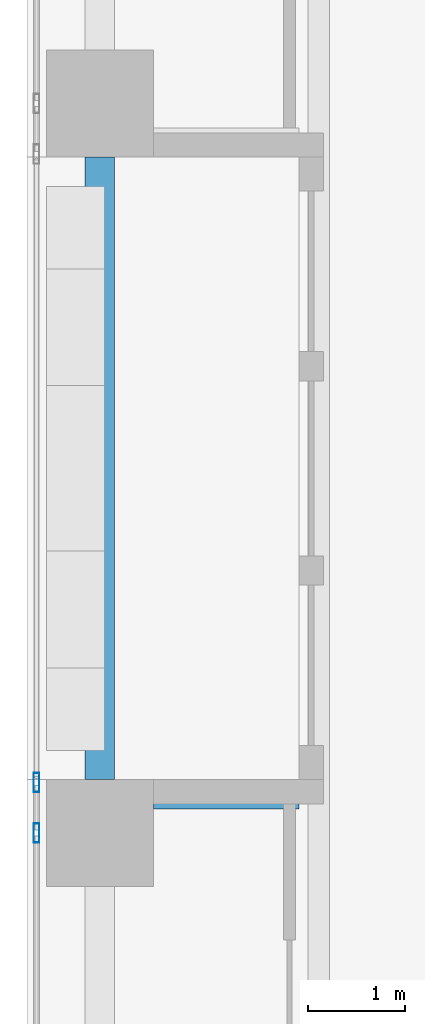
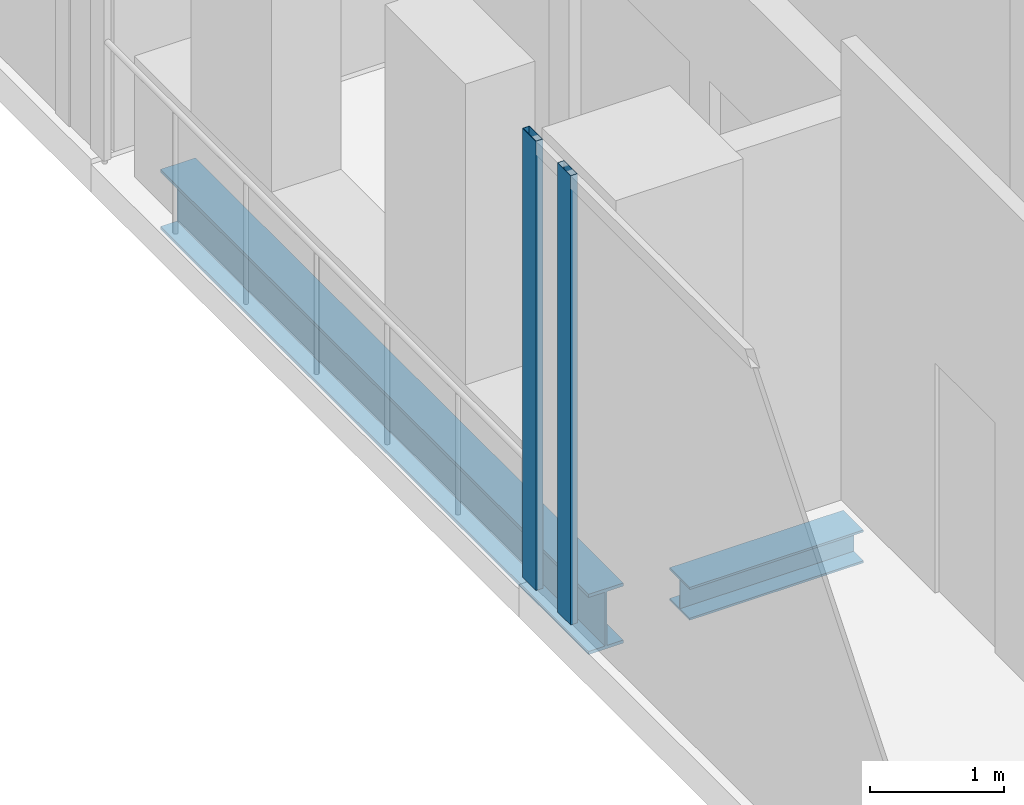
# One storey, part 4 of 34: 2 beams, 2 members, 1 element without a shape of its own.
"""IFC4 building model written with IfcOpenShell, lengths in metres."""

from ifc_helpers import new_model, si_unit, direction, frame, origin, origin_2d, place, context, subcontext, project, spatial, hollow_rectangle, i_section, extrude, source, transform, mapped, material, material_profile, profile_set, type_object, element, aggregate, save


model = new_model("IFC4")

# Units and contexts
model_context = context("Model", 3, precision=1e-05, world=origin(), true_north=direction((0.0, 1.0)))
body_context = subcontext(model_context, "Body", "Model", "MODEL_VIEW")
ifc_project = project(units=[si_unit("LENGTHUNIT", "METRE"), si_unit("AREAUNIT", "SQUARE_METRE"), si_unit("VOLUMEUNIT", "CUBIC_METRE"), si_unit("PLANEANGLEUNIT", "RADIAN"), si_unit("MASSUNIT", "GRAM", prefix="KILO")], contexts=[model_context])

# Site, building, storey
site_placement = place(None, origin())
site = spatial("IfcSite", under=ifc_project, at=site_placement, CompositionType="ELEMENT")
building_placement = place(site_placement, origin())
building = spatial("IfcBuilding", under=site, at=building_placement, Name="Khomas Fold Tower", CompositionType="ELEMENT")
storey_placement = place(building_placement, frame((0.0, 0.0, 123.5)))
storey = spatial("IfcBuildingStorey", under=building, at=storey_placement, Name="L26", CompositionType="ELEMENT", Elevation=123.5)

# Beams
ifc_material_1 = material(Name="Steel S355", Category="steel")
ifc_material_profile_1 = material_profile(ifc_material_1, i_section(OverallWidth=0.300048828125, OverallDepth=0.550048828125, WebThickness=0.014892578125, FlangeThickness=0.029052734375, at=origin_2d()), Name="HE 550 B")
ifc_profile_set_1 = profile_set([ifc_material_profile_1], Name="Steel S355")
beam_type_1 = type_object("IfcBeamType", Name="HE 550 B spandrel SB2", PredefinedType="SPANDREL", material=ifc_profile_set_1)
shared_shape_1 = source(origin(), body_context, "Body", "SweptSolid", [
    extrude(i_section(OverallWidth=0.300048828125, OverallDepth=0.550048828125, WebThickness=0.014892578125, FlangeThickness=0.029052734375, at=origin_2d()), origin(), (0.0, 0.0, 1.0), 6.39990234375),
])
beam_1_placement = place(storey_placement, frame((2.25, 12.550048828125, -0.574951171875), z_axis=(0.0, 1.0, 0.0), x_axis=(-1.0, 0.0, 0.0)))
element("IfcBeam", 1, at=beam_1_placement, inside=storey, type_object=beam_type_1, Name="SB2", PredefinedType="SPANDREL", context=body_context, shape_type="MappedRepresentation", body=[
    mapped(shared_shape_1, transform((0.0, 0.0, 0.0))),
])
ifc_material_2 = material(Name="Steel S355", Category="steel")
ifc_material_profile_2 = material_profile(ifc_material_2, i_section(OverallWidth=0.300048828125, OverallDepth=0.300048828125, WebThickness=0.010986328125, FlangeThickness=0.01904296875, at=origin_2d()), Name="HE 300 B")
ifc_profile_set_2 = profile_set([ifc_material_profile_2], Name="Steel S355")
beam_type_2 = type_object("IfcBeamType", Name="HE 300 B beam BB1", PredefinedType="BEAM", material=ifc_profile_set_2)
shared_shape_2 = source(origin(), body_context, "Body", "SweptSolid", [
    extrude(i_section(OverallWidth=0.300048828125, OverallDepth=0.300048828125, WebThickness=0.010986328125, FlangeThickness=0.01904296875, at=origin_2d()), origin(), (0.0, 0.0, 1.0), 1.5),
])
beam_2_placement = place(storey_placement, frame((2.800048828125, 12.39990234375, -0.449951171875), z_axis=(1.0, 0.0, 0.0), x_axis=(0.0, 1.0, 0.0)))
element("IfcBeam", 2, at=beam_2_placement, inside=storey, type_object=beam_type_2, Name="BB1", PredefinedType="BEAM", context=body_context, shape_type="MappedRepresentation", body=[
    mapped(shared_shape_2, transform((0.0, 0.0, 0.0))),
])

# Curtain wall, members
ifc_material_3 = material(Name="Aluminium framed double glazing", Category="aluminium")
curtain_wall_type = type_object("IfcCurtainWallType", Name="SK-Unitised clear-glass wall, growing floors CW1", PredefinedType="NOTDEFINED", material=ifc_material_3)
curtain_wall_placement = place(storey_placement, origin())
curtain_wall = element("IfcCurtainWall", 3, at=curtain_wall_placement, inside=storey, type_object=curtain_wall_type, Name="CW1 run L26 09-1", PredefinedType="NOTDEFINED")
ifc_material_4 = material(Name="Aluminium", Category="aluminium")
ifc_material_profile_3 = material_profile(ifc_material_4, hollow_rectangle(XDim=0.06005859375, YDim=0.199951171875, WallThickness=0.00390625, at=origin_2d()), Name="SK-Unitised clear-glass wall, growing floors mullion CW1-M")
ifc_profile_set_3 = profile_set([ifc_material_profile_3], Name="Aluminium")
member_type = type_object("IfcMemberType", Name="SK-Unitised clear-glass wall, growing floors mullion CW1-M", PredefinedType="MULLION", material=ifc_profile_set_3)
shared_shape_3 = source(origin(), body_context, "Body", "SweptSolid", [
    extrude(hollow_rectangle(XDim=0.06005859375, YDim=0.199951171875, WallThickness=0.00390625, at=origin_2d()), origin(), (0.0, 0.0, 1.0), 4.10009765625),
])
member_1_placement = place(storey_placement, frame((1.60009765625, 12.52001953125, 0.0), z_axis=(0.0, 0.0, 1.0), x_axis=(1.0, 0.0, 0.0)))
member_1 = element("IfcMember", 4, at=member_1_placement, type_object=member_type, Name="CW1 mullion 1", PredefinedType="MULLION", context=body_context, shape_type="MappedRepresentation", body=[
    mapped(shared_shape_3, transform((0.0, 0.0, 0.0))),
])
member_2_placement = place(storey_placement, frame((1.60009765625, 12.0, 0.0), z_axis=(0.0, 0.0, 1.0), x_axis=(1.0, 0.0, 0.0)))
member_2 = element("IfcMember", 5, at=member_2_placement, type_object=member_type, Name="CW1 mullion 2", PredefinedType="MULLION", context=body_context, shape_type="MappedRepresentation", body=[
    mapped(shared_shape_3, transform((0.0, 0.0, 0.0))),
])
aggregate(curtain_wall, [member_1, member_2])

save(model, "model.ifc")
